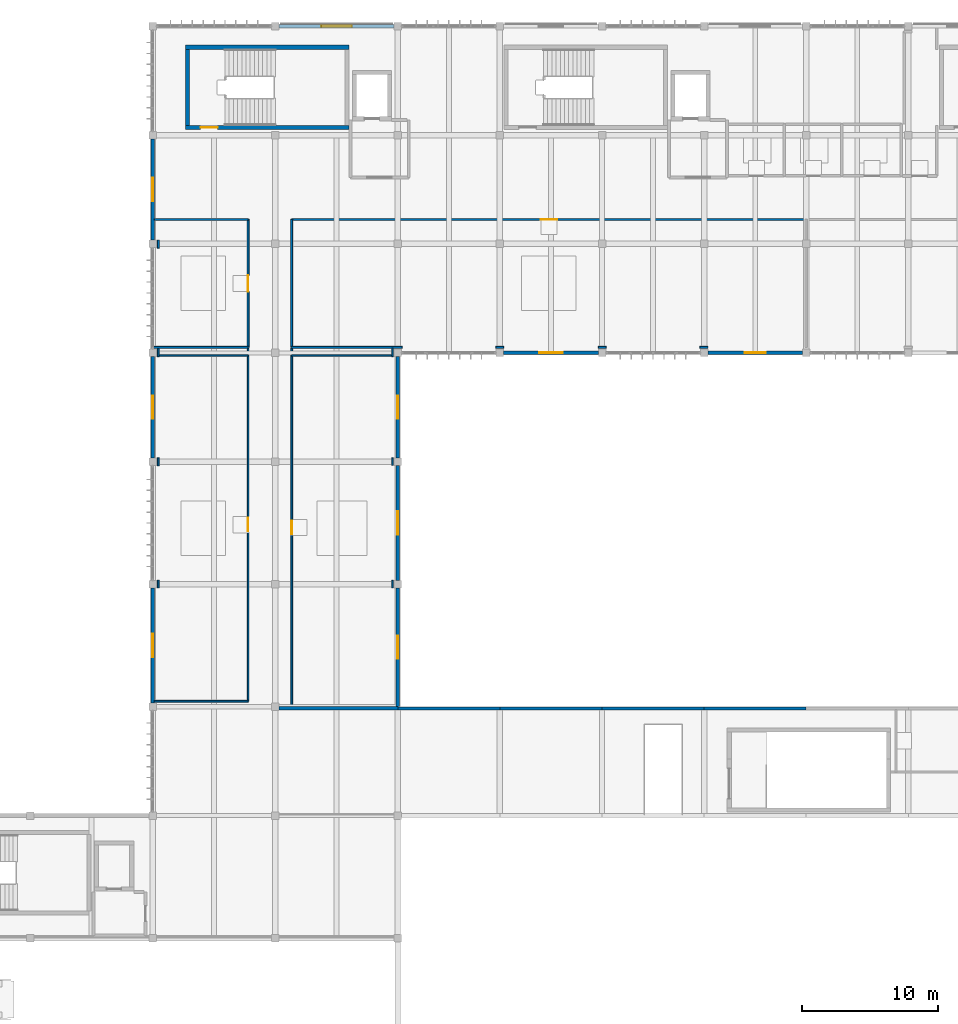
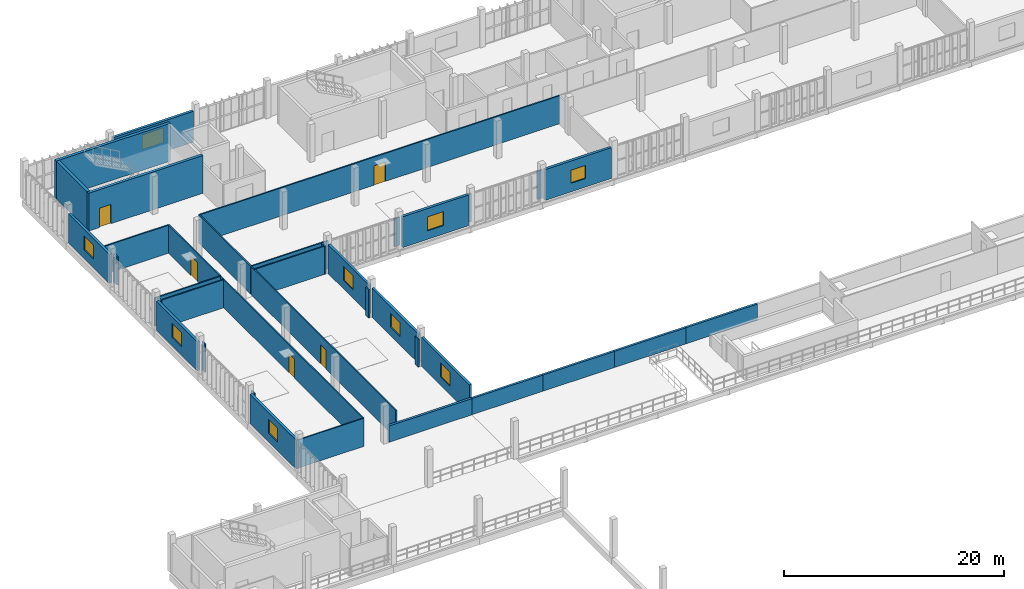
# One storey, part 42 of 61: 38 walls, 9 windows, 5 doors, 14 openings.
"""IFC4 building model written with IfcOpenShell, lengths in metres."""

from ifc_helpers import new_model, si_unit, direction, frame, frame_2d, origin, place, context, subcontext, project, spatial, rectangle, extrude, material, layer, layer_set, type_object, element, fill, save


model = new_model("IFC4")

# Units and contexts
model_context = context("Model", 3, precision=1e-05, world=origin(), true_north=direction((0.0, 1.0)))
body_context = subcontext(model_context, "Body", "Model", "MODEL_VIEW")
ifc_project = project(units=[si_unit("LENGTHUNIT", "METRE"), si_unit("AREAUNIT", "SQUARE_METRE"), si_unit("VOLUMEUNIT", "CUBIC_METRE"), si_unit("PLANEANGLEUNIT", "RADIAN"), si_unit("MASSUNIT", "GRAM", prefix="KILO")], contexts=[model_context])

# Site, building, storey
site_placement = place(None, origin())
site = spatial("IfcSite", under=ifc_project, at=site_placement, CompositionType="ELEMENT")
building_placement = place(site_placement, origin())
building = spatial("IfcBuilding", under=site, at=building_placement, Name="Vourika Railside Aquatics Centre", CompositionType="ELEMENT")
storey_placement = place(building_placement, frame((0.0, 0.0, 9.300048828125)))
storey = spatial("IfcBuildingStorey", under=building, at=storey_placement, Name="L02", CompositionType="ELEMENT", Elevation=9.300048828125)

# Wall, opening, door
ifc_material_1 = material(Name="Concrete C40/50", Category="concrete")
ifc_layer_1 = layer(ifc_material_1, 0.300048828125, Name="WL-CORE")
ifc_layer_set_1 = layer_set([ifc_layer_1], Name="Concrete C40/50")
wall_type_1 = type_object("IfcWallType", Name="WL-CORE", PredefinedType="SHEAR", material=ifc_layer_set_1)
wall_1_placement = place(storey_placement, frame((20.39990234375, 108.550048828125, 0.0), z_axis=(0.0, 0.0, 1.0), x_axis=(1.0, 0.0, 0.0)))
wall_1 = element("IfcWall", 1, at=wall_1_placement, inside=storey, type_object=wall_type_1, Name="Protected Exit Stair Core ST01 South Wall (L02)", PredefinedType="SHEAR", context=body_context, shape_type="SweptSolid", body=[
    extrude(rectangle(XDim=12.0, YDim=0.300048828125, at=frame_2d((6.0, 0.0))), origin(), (0.0, 0.0, 1.0), 4.199951171875),
])
opening_1_placement = place(wall_1_placement, frame((1.10009765625, 0.0, 0.0)))
opening_1 = element("IfcOpeningElement", 2, at=opening_1_placement, cuts=wall_1, Name="Opening DF02", PredefinedType="OPENING", context=body_context, shape_type="SweptSolid", body=[
    extrude(rectangle(XDim=1.25, YDim=2.14990234375, at=frame_2d((0.625, 1.074951171875))), frame((0.0, 0.16015625, 0.0), z_axis=(0.0, -1.0, 0.0), x_axis=(1.0, 0.0, 0.0)), (0.0, 0.0, 1.0), 0.320068359375),
])
ifc_material_2 = material(Name="Fire-rated wide exit stair door")
door_type_1 = type_object("IfcDoorType", Name="DR-FD60-125", OperationType="NOTDEFINED", PredefinedType="DOOR", material=ifc_material_2)
door_1_placement = place(opening_1_placement, origin())
door_1 = element("IfcDoor", 3, at=door_1_placement, inside=storey, type_object=door_type_1, Name="Protected Exit Stair Core ST01 Enclosure Fire Door (L02)", OperationType="SINGLE_SWING_LEFT", OverallHeight=2.14990234375, OverallWidth=1.25, PredefinedType="DOOR", context=body_context, shape_type="SweptSolid", body=[
    extrude(rectangle(XDim=1.25, YDim=2.14990234375, at=frame_2d((0.625, 1.074951171875))), frame((0.0, 0.02490234375, 0.0), z_axis=(0.0, -1.0, 0.0), x_axis=(1.0, 0.0, 0.0)), (0.0, 0.0, 1.0), 0.050048828125),
])
fill(opening_1, door_1)

# Walls
wall_2_placement = place(storey_placement, frame((32.39990234375, 114.449951171875, 0.0), z_axis=(0.0, 0.0, 1.0), x_axis=(-1.0, 0.0, 0.0)))
element("IfcWall", 4, at=wall_2_placement, inside=storey, type_object=wall_type_1, Name="Protected Exit Stair Core ST01 North Wall (L02)", PredefinedType="SHEAR", context=body_context, shape_type="SweptSolid", body=[
    extrude(rectangle(XDim=12.0, YDim=0.300048828125, at=frame_2d((6.0, 0.0))), origin(), (0.0, 0.0, 1.0), 4.199951171875),
])
wall_3_placement = place(storey_placement, frame((20.550048828125, 114.300048828125, 0.0), z_axis=(0.0, 0.0, 1.0), x_axis=(0.0, -1.0, 0.0)))
element("IfcWall", 5, at=wall_3_placement, inside=storey, type_object=wall_type_1, Name="Protected Exit Stair Core ST01 West Wall (L02)", PredefinedType="SHEAR", context=body_context, shape_type="SweptSolid", body=[
    extrude(rectangle(XDim=5.60009765625, YDim=0.300048828125, at=frame_2d((2.800048828125, 0.0))), origin(), (0.0, 0.0, 1.0), 4.199951171875),
])
ifc_material_3 = material(Name="Precast concrete C40/50", Category="concrete")
ifc_layer_2 = layer(ifc_material_3, 0.25, Name="WL-EXT-250")
ifc_layer_set_2 = layer_set([ifc_layer_2], Name="Precast concrete C40/50")
wall_type_2 = type_object("IfcWallType", Name="WL-EXT-250", PredefinedType="SOLIDWALL", material=ifc_layer_set_2)
wall_4_placement = place(storey_placement, frame((36.0, 65.8798828125, 0.0), z_axis=(0.0, 0.0, 1.0), x_axis=(-1.0, 0.0, 0.0)))
element("IfcWall", 6, at=wall_4_placement, inside=storey, type_object=wall_type_2, Name="Media Catwalk Courtyard Link Wall", PredefinedType="SOLIDWALL", context=body_context, shape_type="SweptSolid", body=[
    extrude(rectangle(XDim=8.72509765625, YDim=0.25, at=frame_2d((4.362548828125, 0.0))), origin(), (0.0, 0.0, 1.0), 1.800048828125),
])

# Wall, opening, window
wall_5_placement = place(storey_placement, frame((36.0, 66.0, 0.0), z_axis=(0.0, 0.0, 1.0), x_axis=(0.0, 1.0, 0.0)))
wall_5 = element("IfcWall", 7, at=wall_5_placement, inside=storey, type_object=wall_type_2, Name="West Link Courtyard Wall L02-1", PredefinedType="SOLIDWALL", context=body_context, shape_type="SweptSolid", body=[
    extrude(rectangle(XDim=8.72509765625, YDim=0.25, at=frame_2d((4.362548828125, 0.0))), origin(), (0.0, 0.0, 1.0), 3.219970703125),
])
opening_2_placement = place(wall_5_placement, frame((3.511962890625, 0.0, 0.949951171875)))
opening_2 = element("IfcOpeningElement", 8, at=opening_2_placement, cuts=wall_5, Name="Opening W11", PredefinedType="OPENING", context=body_context, shape_type="SweptSolid", body=[
    extrude(rectangle(XDim=1.699951171875, YDim=1.550048828125, at=frame_2d((0.85009765625, 0.77490234375))), frame((0.0, 0.135009765625, 0.0), z_axis=(0.0, -1.0, 0.0), x_axis=(1.0, 0.0, 0.0)), (0.0, 0.0, 1.0), 0.27001953125),
])
ifc_material_4 = material(Name="Laminated solar-control glass", Category="glass")
window_type_1 = type_object("IfcWindowType", Name="WN-LAB-170x155", PartitioningType="SINGLE_PANEL", PredefinedType="WINDOW", material=ifc_material_4)
window_1_placement = place(opening_2_placement, origin())
window_1 = element("IfcWindow", 9, at=window_1_placement, inside=storey, type_object=window_type_1, Name="West Link Courtyard Window L02-1", OverallHeight=1.550048828125, OverallWidth=1.699951171875, PartitioningType="SINGLE_PANEL", PredefinedType="WINDOW", context=body_context, shape_type="SweptSolid", body=[
    extrude(rectangle(XDim=1.699951171875, YDim=1.550048828125, at=frame_2d((0.85009765625, 0.77490234375))), frame((0.0, 0.030029296875, 0.0), z_axis=(0.0, -1.0, 0.0), x_axis=(1.0, 0.0, 0.0)), (0.0, 0.0, 1.0), 0.06005859375),
])
fill(opening_2, window_1)

wall_6_placement = place(storey_placement, frame((36.0, 75.27490234375, 0.0), z_axis=(0.0, 0.0, 1.0), x_axis=(0.0, 1.0, 0.0)))
wall_6 = element("IfcWall", 10, at=wall_6_placement, inside=storey, type_object=wall_type_2, Name="West Link Courtyard Wall L02-2", PredefinedType="SOLIDWALL", context=body_context, shape_type="SweptSolid", body=[
    extrude(rectangle(XDim=8.4501953125, YDim=0.25, at=frame_2d((4.22509765625, 0.0))), origin(), (0.0, 0.0, 1.0), 3.219970703125),
])
opening_3_placement = place(wall_6_placement, frame((3.375, 0.0, 0.949951171875)))
opening_3 = element("IfcOpeningElement", 11, at=opening_3_placement, cuts=wall_6, Name="Opening W11", PredefinedType="OPENING", context=body_context, shape_type="SweptSolid", body=[
    extrude(rectangle(XDim=1.699951171875, YDim=1.550048828125, at=frame_2d((0.85009765625, 0.77490234375))), frame((0.0, 0.135009765625, 0.0), z_axis=(0.0, -1.0, 0.0), x_axis=(1.0, 0.0, 0.0)), (0.0, 0.0, 1.0), 0.27001953125),
])
window_2_placement = place(opening_3_placement, origin())
window_2 = element("IfcWindow", 12, at=window_2_placement, inside=storey, type_object=window_type_1, Name="West Link Courtyard Window L02-2", OverallHeight=1.550048828125, OverallWidth=1.699951171875, PartitioningType="SINGLE_PANEL", PredefinedType="WINDOW", context=body_context, shape_type="SweptSolid", body=[
    extrude(rectangle(XDim=1.699951171875, YDim=1.550048828125, at=frame_2d((0.85009765625, 0.77490234375))), frame((0.0, 0.030029296875, 0.0), z_axis=(0.0, -1.0, 0.0), x_axis=(1.0, 0.0, 0.0)), (0.0, 0.0, 1.0), 0.06005859375),
])
fill(opening_3, window_2)

wall_7_placement = place(storey_placement, frame((36.0, 84.27490234375, 0.0), z_axis=(0.0, 0.0, 1.0), x_axis=(0.0, 1.0, 0.0)))
wall_7 = element("IfcWall", 13, at=wall_7_placement, inside=storey, type_object=wall_type_2, Name="West Link Courtyard Wall L02-3", PredefinedType="SOLIDWALL", context=body_context, shape_type="SweptSolid", body=[
    extrude(rectangle(XDim=7.4501953125, YDim=0.25, at=frame_2d((3.72509765625, 0.0))), origin(), (0.0, 0.0, 1.0), 3.219970703125),
])
opening_4_placement = place(wall_7_placement, frame((2.875, 0.0, 0.949951171875)))
opening_4 = element("IfcOpeningElement", 14, at=opening_4_placement, cuts=wall_7, Name="Opening W11", PredefinedType="OPENING", context=body_context, shape_type="SweptSolid", body=[
    extrude(rectangle(XDim=1.699951171875, YDim=1.550048828125, at=frame_2d((0.85009765625, 0.77490234375))), frame((0.0, 0.135009765625, 0.0), z_axis=(0.0, -1.0, 0.0), x_axis=(1.0, 0.0, 0.0)), (0.0, 0.0, 1.0), 0.27001953125),
])
window_3_placement = place(opening_4_placement, origin())
window_3 = element("IfcWindow", 15, at=window_3_placement, inside=storey, type_object=window_type_1, Name="West Link Courtyard Window L02-3", OverallHeight=1.550048828125, OverallWidth=1.699951171875, PartitioningType="SINGLE_PANEL", PredefinedType="WINDOW", context=body_context, shape_type="SweptSolid", body=[
    extrude(rectangle(XDim=1.699951171875, YDim=1.550048828125, at=frame_2d((0.85009765625, 0.77490234375))), frame((0.0, 0.030029296875, 0.0), z_axis=(0.0, -1.0, 0.0), x_axis=(1.0, 0.0, 0.0)), (0.0, 0.0, 1.0), 0.06005859375),
])
fill(opening_4, window_3)

ifc_layer_3 = layer(ifc_material_3, 0.27001953125, Name="WL-EXT-270")
ifc_layer_set_3 = layer_set([ifc_layer_3], Name="Precast concrete C40/50")
wall_type_3 = type_object("IfcWallType", Name="WL-EXT-270", PredefinedType="SOLIDWALL", material=ifc_layer_set_3)
wall_8_placement = place(storey_placement, frame((35.72509765625, 116.0, 0.0), z_axis=(0.0, 0.0, 1.0), x_axis=(-1.0, 0.0, 0.0)))
wall_8 = element("IfcWall", 16, at=wall_8_placement, inside=storey, type_object=wall_type_3, Name="North Boulevard Precast Bay L02-2", PredefinedType="SOLIDWALL", context=body_context, shape_type="SweptSolid", body=[
    extrude(rectangle(XDim=8.4501953125, YDim=0.27001953125, at=frame_2d((4.22509765625, 0.0))), origin(), (0.0, 0.0, 1.0), 3.419921875),
])
opening_5_placement = place(wall_8_placement, frame((3.10009765625, 0.0, 0.949951171875)))
opening_5 = element("IfcOpeningElement", 17, at=opening_5_placement, cuts=wall_8, Name="Opening W10", PredefinedType="OPENING", context=body_context, shape_type="SweptSolid", body=[
    extrude(rectangle(XDim=2.25, YDim=1.64990234375, at=frame_2d((1.125, 0.824951171875))), frame((0.0, 0.14501953125, 0.0), z_axis=(0.0, -1.0, 0.0), x_axis=(1.0, 0.0, 0.0)), (0.0, 0.0, 1.0), 0.2900390625),
])
window_type_2 = type_object("IfcWindowType", Name="WN-LAB-225x165", PartitioningType="DOUBLE_PANEL_VERTICAL", PredefinedType="WINDOW", material=ifc_material_4)
window_4_placement = place(opening_5_placement, origin())
window_4 = element("IfcWindow", 18, at=window_4_placement, inside=storey, type_object=window_type_2, Name="North Boulevard Studio Window L02-2", OverallHeight=1.64990234375, OverallWidth=2.25, PartitioningType="SINGLE_PANEL", PredefinedType="WINDOW", context=body_context, shape_type="SweptSolid", body=[
    extrude(rectangle(XDim=2.25, YDim=1.64990234375, at=frame_2d((1.125, 0.824951171875))), frame((0.0, 0.030029296875, 0.0), z_axis=(0.0, -1.0, 0.0), x_axis=(1.0, 0.0, 0.0)), (0.0, 0.0, 1.0), 0.06005859375),
])
fill(opening_5, window_4)

wall_9_placement = place(storey_placement, frame((43.77490234375, 92.0, 0.0), z_axis=(0.0, 0.0, 1.0), x_axis=(1.0, 0.0, 0.0)))
wall_9 = element("IfcWall", 19, at=wall_9_placement, inside=storey, type_object=wall_type_3, Name="Courtyard Precast Wall L02-2", PredefinedType="SOLIDWALL", context=body_context, shape_type="SweptSolid", body=[
    extrude(rectangle(XDim=6.9501953125, YDim=0.27001953125, at=frame_2d((3.47509765625, 0.0))), origin(), (0.0, 0.0, 1.0), 3.419921875),
])
opening_6_placement = place(wall_9_placement, frame((2.625, 0.0, 0.949951171875)))
opening_6 = element("IfcOpeningElement", 20, at=opening_6_placement, cuts=wall_9, Name="Opening W11", PredefinedType="OPENING", context=body_context, shape_type="SweptSolid", body=[
    extrude(rectangle(XDim=1.699951171875, YDim=1.550048828125, at=frame_2d((0.85009765625, 0.77490234375))), frame((0.0, 0.14501953125, 0.0), z_axis=(0.0, -1.0, 0.0), x_axis=(1.0, 0.0, 0.0)), (0.0, 0.0, 1.0), 0.2900390625),
])
window_5_placement = place(opening_6_placement, origin())
window_5 = element("IfcWindow", 21, at=window_5_placement, inside=storey, type_object=window_type_1, Name="Courtyard Fitness Window L02-2", OverallHeight=1.550048828125, OverallWidth=1.699951171875, PartitioningType="SINGLE_PANEL", PredefinedType="WINDOW", context=body_context, shape_type="SweptSolid", body=[
    extrude(rectangle(XDim=1.699951171875, YDim=1.550048828125, at=frame_2d((0.85009765625, 0.77490234375))), frame((0.0, 0.030029296875, 0.0), z_axis=(0.0, -1.0, 0.0), x_axis=(1.0, 0.0, 0.0)), (0.0, 0.0, 1.0), 0.06005859375),
])
fill(opening_6, window_5)

wall_10_placement = place(storey_placement, frame((58.77490234375, 92.0, 0.0), z_axis=(0.0, 0.0, 1.0), x_axis=(1.0, 0.0, 0.0)))
wall_10 = element("IfcWall", 22, at=wall_10_placement, inside=storey, type_object=wall_type_3, Name="Courtyard Precast Wall L02-4", PredefinedType="SOLIDWALL", context=body_context, shape_type="SweptSolid", body=[
    extrude(rectangle(XDim=6.9501953125, YDim=0.27001953125, at=frame_2d((3.47509765625, 0.0))), origin(), (0.0, 0.0, 1.0), 3.419921875),
])
opening_7_placement = place(wall_10_placement, frame((2.699951171875, 0.0, 0.949951171875)))
opening_7 = element("IfcOpeningElement", 23, at=opening_7_placement, cuts=wall_10, Name="Opening W09", PredefinedType="OPENING", context=body_context, shape_type="SweptSolid", body=[
    extrude(rectangle(XDim=1.550048828125, YDim=1.449951171875, at=frame_2d((0.77490234375, 0.72509765625))), frame((0.0, 0.14501953125, 0.0), z_axis=(0.0, -1.0, 0.0), x_axis=(1.0, 0.0, 0.0)), (0.0, 0.0, 1.0), 0.2900390625),
])
window_type_3 = type_object("IfcWindowType", Name="WN-CLN-155x145", PartitioningType="SINGLE_PANEL", PredefinedType="WINDOW", material=ifc_material_4)
window_6_placement = place(opening_7_placement, origin())
window_6 = element("IfcWindow", 24, at=window_6_placement, inside=storey, type_object=window_type_3, Name="Courtyard Fitness Window L02-4", OverallHeight=1.449951171875, OverallWidth=1.550048828125, PartitioningType="SINGLE_PANEL", PredefinedType="WINDOW", context=body_context, shape_type="SweptSolid", body=[
    extrude(rectangle(XDim=1.550048828125, YDim=1.449951171875, at=frame_2d((0.77490234375, 0.72509765625))), frame((0.0, 0.030029296875, 0.0), z_axis=(0.0, -1.0, 0.0), x_axis=(1.0, 0.0, 0.0)), (0.0, 0.0, 1.0), 0.06005859375),
])
fill(opening_7, window_6)

wall_11_placement = place(storey_placement, frame((18.0, 74.72509765625, 0.0), z_axis=(0.0, 0.0, 1.0), x_axis=(0.0, -1.0, 0.0)))
wall_11 = element("IfcWall", 25, at=wall_11_placement, inside=storey, type_object=wall_type_3, Name="Fitness West Precast Wall L02-2", PredefinedType="SOLIDWALL", context=body_context, shape_type="SweptSolid", body=[
    extrude(rectangle(XDim=8.4501953125, YDim=0.27001953125, at=frame_2d((4.22509765625, 0.0))), origin(), (0.0, 0.0, 1.0), 3.219970703125),
])
opening_8_placement = place(wall_11_placement, frame((3.375, 0.0, 0.949951171875)))
opening_8 = element("IfcOpeningElement", 26, at=opening_8_placement, cuts=wall_11, Name="Opening W11", PredefinedType="OPENING", context=body_context, shape_type="SweptSolid", body=[
    extrude(rectangle(XDim=1.699951171875, YDim=1.550048828125, at=frame_2d((0.85009765625, 0.77490234375))), frame((0.0, 0.14501953125, 0.0), z_axis=(0.0, -1.0, 0.0), x_axis=(1.0, 0.0, 0.0)), (0.0, 0.0, 1.0), 0.2900390625),
])
window_7_placement = place(opening_8_placement, origin())
window_7 = element("IfcWindow", 27, at=window_7_placement, inside=storey, type_object=window_type_1, Name="Fitness West Window L02-2", OverallHeight=1.550048828125, OverallWidth=1.699951171875, PartitioningType="SINGLE_PANEL", PredefinedType="WINDOW", context=body_context, shape_type="SweptSolid", body=[
    extrude(rectangle(XDim=1.699951171875, YDim=1.550048828125, at=frame_2d((0.85009765625, 0.77490234375))), frame((0.0, 0.030029296875, 0.0), z_axis=(0.0, -1.0, 0.0), x_axis=(1.0, 0.0, 0.0)), (0.0, 0.0, 1.0), 0.06005859375),
])
fill(opening_8, window_7)

wall_12_placement = place(storey_placement, frame((18.0, 91.72509765625, 0.0), z_axis=(0.0, 0.0, 1.0), x_axis=(0.0, -1.0, 0.0)))
wall_12 = element("IfcWall", 28, at=wall_12_placement, inside=storey, type_object=wall_type_3, Name="Fitness West Precast Wall L02-4", PredefinedType="SOLIDWALL", context=body_context, shape_type="SweptSolid", body=[
    extrude(rectangle(XDim=7.4501953125, YDim=0.27001953125, at=frame_2d((3.72509765625, 0.0))), origin(), (0.0, 0.0, 1.0), 3.219970703125),
])
opening_9_placement = place(wall_12_placement, frame((2.875, 0.0, 0.949951171875)))
opening_9 = element("IfcOpeningElement", 29, at=opening_9_placement, cuts=wall_12, Name="Opening W11", PredefinedType="OPENING", context=body_context, shape_type="SweptSolid", body=[
    extrude(rectangle(XDim=1.699951171875, YDim=1.550048828125, at=frame_2d((0.85009765625, 0.77490234375))), frame((0.0, 0.14501953125, 0.0), z_axis=(0.0, -1.0, 0.0), x_axis=(1.0, 0.0, 0.0)), (0.0, 0.0, 1.0), 0.2900390625),
])
window_8_placement = place(opening_9_placement, origin())
window_8 = element("IfcWindow", 30, at=window_8_placement, inside=storey, type_object=window_type_1, Name="Fitness West Window L02-4", OverallHeight=1.550048828125, OverallWidth=1.699951171875, PartitioningType="SINGLE_PANEL", PredefinedType="WINDOW", context=body_context, shape_type="SweptSolid", body=[
    extrude(rectangle(XDim=1.699951171875, YDim=1.550048828125, at=frame_2d((0.85009765625, 0.77490234375))), frame((0.0, 0.030029296875, 0.0), z_axis=(0.0, -1.0, 0.0), x_axis=(1.0, 0.0, 0.0)), (0.0, 0.0, 1.0), 0.06005859375),
])
fill(opening_9, window_8)

wall_13_placement = place(storey_placement, frame((18.0, 107.72509765625, 0.0), z_axis=(0.0, 0.0, 1.0), x_axis=(0.0, -1.0, 0.0)))
wall_13 = element("IfcWall", 31, at=wall_13_placement, inside=storey, type_object=wall_type_3, Name="Fitness West Precast Wall L02-6", PredefinedType="SOLIDWALL", context=body_context, shape_type="SweptSolid", body=[
    extrude(rectangle(XDim=7.4501953125, YDim=0.27001953125, at=frame_2d((3.72509765625, 0.0))), origin(), (0.0, 0.0, 1.0), 3.219970703125),
])
opening_10_placement = place(wall_13_placement, frame((2.875, 0.0, 0.949951171875)))
opening_10 = element("IfcOpeningElement", 32, at=opening_10_placement, cuts=wall_13, Name="Opening W11", PredefinedType="OPENING", context=body_context, shape_type="SweptSolid", body=[
    extrude(rectangle(XDim=1.699951171875, YDim=1.550048828125, at=frame_2d((0.85009765625, 0.77490234375))), frame((0.0, 0.14501953125, 0.0), z_axis=(0.0, -1.0, 0.0), x_axis=(1.0, 0.0, 0.0)), (0.0, 0.0, 1.0), 0.2900390625),
])
window_9_placement = place(opening_10_placement, origin())
window_9 = element("IfcWindow", 33, at=window_9_placement, inside=storey, type_object=window_type_1, Name="Fitness West Window L02-6", OverallHeight=1.550048828125, OverallWidth=1.699951171875, PartitioningType="SINGLE_PANEL", PredefinedType="WINDOW", context=body_context, shape_type="SweptSolid", body=[
    extrude(rectangle(XDim=1.699951171875, YDim=1.550048828125, at=frame_2d((0.85009765625, 0.77490234375))), frame((0.0, 0.030029296875, 0.0), z_axis=(0.0, -1.0, 0.0), x_axis=(1.0, 0.0, 0.0)), (0.0, 0.0, 1.0), 0.06005859375),
])
fill(opening_10, window_9)

# Walls
ifc_layer_4 = layer(ifc_material_3, 0.22998046875, Name="WL-PAR-230")
ifc_layer_set_4 = layer_set([ifc_layer_4], Name="Precast concrete C40/50")
wall_type_4 = type_object("IfcWallType", Name="WL-PAR-230", PredefinedType="PARAPET", material=ifc_layer_set_4)
for number, where, z_axis, x_axis, name in (
    (34, (43.5, 65.8798828125, 0.0), (0.0, 0.0, 1.0), (-1.0, 0.0, 0.0), "Broadcast Catwalk North Spandrel 1"),
    (35, (51.0, 65.8798828125, 0.0), (0.0, 0.0, 1.0), (-1.0, 0.0, 0.0), "Broadcast Catwalk North Spandrel 2"),
    (36, (58.5, 65.8798828125, 0.0), (0.0, 0.0, 1.0), (-1.0, 0.0, 0.0), "Broadcast Catwalk North Spandrel 3"),
    (37, (66.0, 65.8798828125, 0.0), (0.0, 0.0, 1.0), (-1.0, 0.0, 0.0), "Broadcast Catwalk North Spandrel 4"),
):
    element("IfcWall", number, at=place(storey_placement, frame(where, z_axis=z_axis, x_axis=x_axis)), inside=storey, type_object=wall_type_4, Name=name, PredefinedType="PARAPET", context=body_context, shape_type="SweptSolid", body=[
        extrude(rectangle(XDim=7.5, YDim=0.22998046875, at=frame_2d((3.75, 0.0))), origin(), (0.0, 0.0, 1.0), 1.800048828125),
    ])

# Wall, opening, door
ifc_material_5 = material(Name="Lightweight drylining partition")
ifc_layer_5 = layer(ifc_material_5, 0.1201171875, Name="WL-PART-120")
ifc_layer_set_5 = layer_set([ifc_layer_5], Name="Lightweight drylining partition")
wall_type_5 = type_object("IfcWallType", Name="WL-PART-120", PredefinedType="PARTITIONING", material=ifc_layer_set_5)
wall_14_placement = place(storey_placement, frame((25.0, 92.35009765625, 0.0), z_axis=(0.0, 0.0, 1.0), x_axis=(0.0, -1.0, 0.0)))
wall_14 = element("IfcWall", 38, at=wall_14_placement, inside=storey, type_object=wall_type_5, Name="Athlete Sports Psychology Consultation Rooms Partition 1", PredefinedType="PARTITIONING", context=body_context, shape_type="SweptSolid", body=[
    extrude(rectangle(XDim=25.9501953125, YDim=0.1201171875, at=frame_2d((12.97509765625, 0.0))), origin(), (0.0, 0.0, 1.0), 3.119873046875),
])
opening_11_placement = place(wall_14_placement, frame((12.47509765625, 0.0, 0.0)))
opening_11 = element("IfcOpeningElement", 39, at=opening_11_placement, cuts=wall_14, Name="Opening DI01", PredefinedType="OPENING", context=body_context, shape_type="SweptSolid", body=[
    extrude(rectangle(XDim=1.0, YDim=2.10009765625, at=frame_2d((0.5, 1.050048828125))), frame((0.0, 0.070068359375, 0.0), z_axis=(0.0, -1.0, 0.0), x_axis=(1.0, 0.0, 0.0)), (0.0, 0.0, 1.0), 0.14013671875),
])
ifc_material_6 = material(Name="Anodized aluminium and laminate door", Category="aluminium")
door_type_2 = type_object("IfcDoorType", Name="DR-INT-1000", OperationType="NOTDEFINED", PredefinedType="DOOR", material=ifc_material_6)
door_2_placement = place(opening_11_placement, origin())
door_2 = element("IfcDoor", 40, at=door_2_placement, inside=storey, type_object=door_type_2, Name="Athlete Sports Psychology Consultation Rooms Door", OperationType="SINGLE_SWING_RIGHT", OverallHeight=2.10009765625, OverallWidth=1.0, PredefinedType="DOOR", context=body_context, shape_type="SweptSolid", body=[
    extrude(rectangle(XDim=1.0, YDim=2.10009765625, at=frame_2d((0.5, 1.050048828125))), frame((0.0, 0.02490234375, 0.0), z_axis=(0.0, -1.0, 0.0), x_axis=(1.0, 0.0, 0.0)), (0.0, 0.0, 1.0), 0.050048828125),
])
fill(opening_11, door_2)

# Walls
wall_15_placement = place(storey_placement, frame((18.39990234375, 91.800048828125, 0.0), z_axis=(0.0, 0.0, 1.0), x_axis=(1.0, 0.0, 0.0)))
element("IfcWall", 41, at=wall_15_placement, inside=storey, type_object=wall_type_5, Name="Athlete Sports Psychology Consultation Rooms Partition 2", PredefinedType="PARTITIONING", context=body_context, shape_type="SweptSolid", body=[
    extrude(rectangle(XDim=6.60009765625, YDim=0.1201171875, at=frame_2d((3.300048828125, 0.0))), origin(), (0.0, 0.0, 1.0), 3.119873046875),
])
wall_16_placement = place(storey_placement, frame((25.0, 66.39990234375, 0.0), z_axis=(0.0, 0.0, 1.0), x_axis=(-1.0, 0.0, 0.0)))
element("IfcWall", 42, at=wall_16_placement, inside=storey, type_object=wall_type_5, Name="Athlete Sports Psychology Consultation Rooms Partition 3", PredefinedType="PARTITIONING", context=body_context, shape_type="SweptSolid", body=[
    extrude(rectangle(XDim=6.885009765625, YDim=0.1201171875, at=frame_2d((3.4423828125, 0.0))), origin(), (0.0, 0.0, 1.0), 3.119873046875),
])
for number, where, z_axis, x_axis, name in (
    (43, (18.39990234375, 74.72509765625, 0.0), (0.0, 0.0, 1.0), (0.0, 1.0, 0.0), "Athlete Sports Psychology Consultation Rooms Partition 4"),
    (44, (18.39990234375, 83.695068359375, 0.0), (0.0, 0.0, 1.0), (0.0, 1.0, 0.0), "Athlete Sports Psychology Consultation Rooms Partition 5"),
    (45, (18.39990234375, 91.72509765625, 0.0), (0.0, 0.0, 1.0), (0.0, 1.0, 0.0), "Athlete Sports Psychology Consultation Rooms Partition 6"),
):
    element("IfcWall", number, at=place(storey_placement, frame(where, z_axis=z_axis, x_axis=x_axis)), inside=storey, type_object=wall_type_5, Name=name, PredefinedType="PARTITIONING", context=body_context, shape_type="SweptSolid", body=[
        extrude(rectangle(XDim=0.579833984375, YDim=0.1201171875, at=frame_2d((0.2900390625, 0.0))), origin(), (0.0, 0.0, 1.0), 3.119873046875),
    ])

# Wall, opening, door
wall_17_placement = place(storey_placement, frame((28.199951171875, 65.985107421875, 0.0), z_axis=(0.0, 0.0, 1.0), x_axis=(0.0, 1.0, 0.0)))
wall_17 = element("IfcWall", 46, at=wall_17_placement, inside=storey, type_object=wall_type_5, Name="Event Accreditation and Results Processing Suite Partition 1", PredefinedType="PARTITIONING", context=body_context, shape_type="SweptSolid", body=[
    extrude(rectangle(XDim=26.364990234375, YDim=0.1201171875, at=frame_2d((13.1826171875, 0.0))), origin(), (0.0, 0.0, 1.0), 3.119873046875),
])
opening_12_placement = place(wall_17_placement, frame((12.6826171875, 0.0, 0.0)))
opening_12 = element("IfcOpeningElement", 47, at=opening_12_placement, cuts=wall_17, Name="Opening DI01", PredefinedType="OPENING", context=body_context, shape_type="SweptSolid", body=[
    extrude(rectangle(XDim=1.0, YDim=2.10009765625, at=frame_2d((0.5, 1.050048828125))), frame((0.0, 0.070068359375, 0.0), z_axis=(0.0, -1.0, 0.0), x_axis=(1.0, 0.0, 0.0)), (0.0, 0.0, 1.0), 0.14013671875),
])
door_3_placement = place(opening_12_placement, origin())
door_3 = element("IfcDoor", 48, at=door_3_placement, inside=storey, type_object=door_type_2, Name="Event Accreditation and Results Processing Suite Door", OperationType="SINGLE_SWING_LEFT", OverallHeight=2.10009765625, OverallWidth=1.0, PredefinedType="DOOR", context=body_context, shape_type="SweptSolid", body=[
    extrude(rectangle(XDim=1.0, YDim=2.10009765625, at=frame_2d((0.5, 1.050048828125))), frame((0.0, 0.02490234375, 0.0), z_axis=(0.0, -1.0, 0.0), x_axis=(1.0, 0.0, 0.0)), (0.0, 0.0, 1.0), 0.050048828125),
])
fill(opening_12, door_3)

# Walls
wall_18_placement = place(storey_placement, frame((28.199951171875, 91.800048828125, 0.0), z_axis=(0.0, 0.0, 1.0), x_axis=(1.0, 0.0, 0.0)))
element("IfcWall", 49, at=wall_18_placement, inside=storey, type_object=wall_type_5, Name="Event Accreditation and Results Processing Suite Partition 2", PredefinedType="PARTITIONING", context=body_context, shape_type="SweptSolid", body=[
    extrude(rectangle(XDim=7.400146484375, YDim=0.1201171875, at=frame_2d((3.7001953125, 0.0))), origin(), (0.0, 0.0, 1.0), 3.119873046875),
])
wall_19_placement = place(storey_placement, frame((35.60009765625, 92.35009765625, 0.0), z_axis=(0.0, 0.0, 1.0), x_axis=(0.0, -1.0, 0.0)))
element("IfcWall", 50, at=wall_19_placement, inside=storey, type_object=wall_type_5, Name="Event Accreditation and Results Processing Suite Partition 3", PredefinedType="PARTITIONING", context=body_context, shape_type="SweptSolid", body=[
    extrude(rectangle(XDim=0.625, YDim=0.1201171875, at=frame_2d((0.3125, 0.0))), origin(), (0.0, 0.0, 1.0), 3.119873046875),
])
for number, where, z_axis, x_axis, name in (
    (51, (35.60009765625, 84.27490234375, 0.0), (0.0, 0.0, 1.0), (0.0, -1.0, 0.0), "Event Accreditation and Results Processing Suite Partition 4"),
    (52, (35.60009765625, 75.27490234375, 0.0), (0.0, 0.0, 1.0), (0.0, -1.0, 0.0), "Event Accreditation and Results Processing Suite Partition 5"),
):
    element("IfcWall", number, at=place(storey_placement, frame(where, z_axis=z_axis, x_axis=x_axis)), inside=storey, type_object=wall_type_5, Name=name, PredefinedType="PARTITIONING", context=body_context, shape_type="SweptSolid", body=[
        extrude(rectangle(XDim=0.5498046875, YDim=0.1201171875, at=frame_2d((0.27490234375, 0.0))), origin(), (0.0, 0.0, 1.0), 3.119873046875),
    ])

# Wall, opening, door
ifc_material_7 = material(Name="Clinical hygienic partition")
ifc_layer_6 = layer(ifc_material_7, 0.139892578125, Name="WL-PART-140")
ifc_layer_set_6 = layer_set([ifc_layer_6], Name="Clinical hygienic partition")
wall_type_6 = type_object("IfcWallType", Name="WL-PART-140", PredefinedType="PARTITIONING", material=ifc_layer_set_6)
wall_20_placement = place(storey_placement, frame((25.0, 101.800048828125, 0.0), z_axis=(0.0, 0.0, 1.0), x_axis=(0.0, -1.0, 0.0)))
wall_20 = element("IfcWall", 53, at=wall_20_placement, inside=storey, type_object=wall_type_6, Name="Manual Therapy and Osteopathy Suite Partition 1", PredefinedType="PARTITIONING", context=body_context, shape_type="SweptSolid", body=[
    extrude(rectangle(XDim=9.400146484375, YDim=0.139892578125, at=frame_2d((4.7001953125, 0.0))), origin(), (0.0, 0.0, 1.0), 3.119873046875),
])
opening_13_placement = place(wall_20_placement, frame((4.10009765625, 0.0, 0.0)))
opening_13 = element("IfcOpeningElement", 54, at=opening_13_placement, cuts=wall_20, Name="Opening DI03", PredefinedType="OPENING", context=body_context, shape_type="SweptSolid", body=[
    extrude(rectangle(XDim=1.199951171875, YDim=2.14990234375, at=frame_2d((0.60009765625, 1.074951171875))), frame((0.0, 0.080078125, 0.0), z_axis=(0.0, -1.0, 0.0), x_axis=(1.0, 0.0, 0.0)), (0.0, 0.0, 1.0), 0.159912109375),
])
ifc_material_8 = material(Name="Wide sports-medicine clinical door")
door_type_3 = type_object("IfcDoorType", Name="DR-INT-1200", OperationType="NOTDEFINED", PredefinedType="DOOR", material=ifc_material_8)
door_4_placement = place(opening_13_placement, origin())
door_4 = element("IfcDoor", 55, at=door_4_placement, inside=storey, type_object=door_type_3, Name="Manual Therapy and Osteopathy Suite Door", OperationType="SINGLE_SWING_RIGHT", OverallHeight=2.14990234375, OverallWidth=1.199951171875, PredefinedType="DOOR", context=body_context, shape_type="SweptSolid", body=[
    extrude(rectangle(XDim=1.199951171875, YDim=2.14990234375, at=frame_2d((0.60009765625, 1.074951171875))), frame((0.0, 0.02490234375, 0.0), z_axis=(0.0, -1.0, 0.0), x_axis=(1.0, 0.0, 0.0)), (0.0, 0.0, 1.0), 0.050048828125),
])
fill(opening_13, door_4)

# Walls
wall_21_placement = place(storey_placement, frame((18.114990234375, 101.800048828125, 0.0), z_axis=(0.0, 0.0, 1.0), x_axis=(1.0, 0.0, 0.0)))
element("IfcWall", 56, at=wall_21_placement, inside=storey, type_object=wall_type_6, Name="Manual Therapy and Osteopathy Suite Partition 2", PredefinedType="PARTITIONING", context=body_context, shape_type="SweptSolid", body=[
    extrude(rectangle(XDim=6.885009765625, YDim=0.139892578125, at=frame_2d((3.4423828125, 0.0))), origin(), (0.0, 0.0, 1.0), 3.119873046875),
])
wall_22_placement = place(storey_placement, frame((18.39990234375, 99.695068359375, 0.0), z_axis=(0.0, 0.0, 1.0), x_axis=(0.0, 1.0, 0.0)))
element("IfcWall", 57, at=wall_22_placement, inside=storey, type_object=wall_type_6, Name="Manual Therapy and Osteopathy Suite Partition 3", PredefinedType="PARTITIONING", context=body_context, shape_type="SweptSolid", body=[
    extrude(rectangle(XDim=0.579833984375, YDim=0.139892578125, at=frame_2d((0.2900390625, 0.0))), origin(), (0.0, 0.0, 1.0), 3.119873046875),
])
wall_23_placement = place(storey_placement, frame((25.0, 92.39990234375, 0.0), z_axis=(0.0, 0.0, 1.0), x_axis=(-1.0, 0.0, 0.0)))
element("IfcWall", 58, at=wall_23_placement, inside=storey, type_object=wall_type_6, Name="Manual Therapy and Osteopathy Suite Partition 4", PredefinedType="PARTITIONING", context=body_context, shape_type="SweptSolid", body=[
    extrude(rectangle(XDim=6.945068359375, YDim=0.139892578125, at=frame_2d((3.47265625, 0.0))), origin(), (0.0, 0.0, 1.0), 3.119873046875),
])

# Wall, opening, door
wall_24_placement = place(storey_placement, frame((28.199951171875, 101.800048828125, 0.0), z_axis=(0.0, 0.0, 1.0), x_axis=(1.0, 0.0, 0.0)))
wall_24 = element("IfcWall", 59, at=wall_24_placement, inside=storey, type_object=wall_type_6, Name="Sports Physiotherapy Rehabilitation Hall Partition 1", PredefinedType="PARTITIONING", context=body_context, shape_type="SweptSolid", body=[
    extrude(rectangle(XDim=37.800048828125, YDim=0.139892578125, at=frame_2d((18.89990234375, 0.0))), origin(), (0.0, 0.0, 1.0), 3.119873046875),
])
opening_14_placement = place(wall_24_placement, frame((18.300048828125, 0.0, 0.0)))
opening_14 = element("IfcOpeningElement", 60, at=opening_14_placement, cuts=wall_24, Name="Opening DI03", PredefinedType="OPENING", context=body_context, shape_type="SweptSolid", body=[
    extrude(rectangle(XDim=1.199951171875, YDim=2.14990234375, at=frame_2d((0.60009765625, 1.074951171875))), frame((0.0, 0.080078125, 0.0), z_axis=(0.0, -1.0, 0.0), x_axis=(1.0, 0.0, 0.0)), (0.0, 0.0, 1.0), 0.159912109375),
])
door_5_placement = place(opening_14_placement, origin())
door_5 = element("IfcDoor", 61, at=door_5_placement, inside=storey, type_object=door_type_3, Name="Sports Physiotherapy Rehabilitation Hall Door", OperationType="SINGLE_SWING_LEFT", OverallHeight=2.14990234375, OverallWidth=1.199951171875, PredefinedType="DOOR", context=body_context, shape_type="SweptSolid", body=[
    extrude(rectangle(XDim=1.199951171875, YDim=2.14990234375, at=frame_2d((0.60009765625, 1.074951171875))), frame((0.0, 0.02490234375, 0.0), z_axis=(0.0, -1.0, 0.0), x_axis=(1.0, 0.0, 0.0)), (0.0, 0.0, 1.0), 0.050048828125),
])
fill(opening_14, door_5)

# Walls
wall_25_placement = place(storey_placement, frame((28.199951171875, 92.39990234375, 0.0), z_axis=(0.0, 0.0, 1.0), x_axis=(0.0, 1.0, 0.0)))
element("IfcWall", 62, at=wall_25_placement, inside=storey, type_object=wall_type_6, Name="Sports Physiotherapy Rehabilitation Hall Partition 2", PredefinedType="PARTITIONING", context=body_context, shape_type="SweptSolid", body=[
    extrude(rectangle(XDim=9.400146484375, YDim=0.139892578125, at=frame_2d((4.7001953125, 0.0))), origin(), (0.0, 0.0, 1.0), 3.119873046875),
])
wall_26_placement = place(storey_placement, frame((36.304931640625, 92.39990234375, 0.0), z_axis=(0.0, 0.0, 1.0), x_axis=(-1.0, 0.0, 0.0)))
element("IfcWall", 63, at=wall_26_placement, inside=storey, type_object=wall_type_6, Name="Sports Physiotherapy Rehabilitation Hall Partition 3", PredefinedType="PARTITIONING", context=body_context, shape_type="SweptSolid", body=[
    extrude(rectangle(XDim=8.10498046875, YDim=0.139892578125, at=frame_2d((4.052490234375, 0.0))), origin(), (0.0, 0.0, 1.0), 3.119873046875),
])
for number, where, z_axis, x_axis, name in (
    (64, (58.77490234375, 92.39990234375, 0.0), (0.0, 0.0, 1.0), (-1.0, 0.0, 0.0), "Sports Physiotherapy Rehabilitation Hall Partition 5"),
    (65, (51.304931640625, 92.39990234375, 0.0), (0.0, 0.0, 1.0), (-1.0, 0.0, 0.0), "Sports Physiotherapy Rehabilitation Hall Partition 6"),
    (66, (43.77490234375, 92.39990234375, 0.0), (0.0, 0.0, 1.0), (-1.0, 0.0, 0.0), "Sports Physiotherapy Rehabilitation Hall Partition 7"),
):
    element("IfcWall", number, at=place(storey_placement, frame(where, z_axis=z_axis, x_axis=x_axis)), inside=storey, type_object=wall_type_6, Name=name, PredefinedType="PARTITIONING", context=body_context, shape_type="SweptSolid", body=[
        extrude(rectangle(XDim=0.579833984375, YDim=0.139892578125, at=frame_2d((0.2900390625, 0.0))), origin(), (0.0, 0.0, 1.0), 3.119873046875),
    ])

save(model, "model.ifc")
